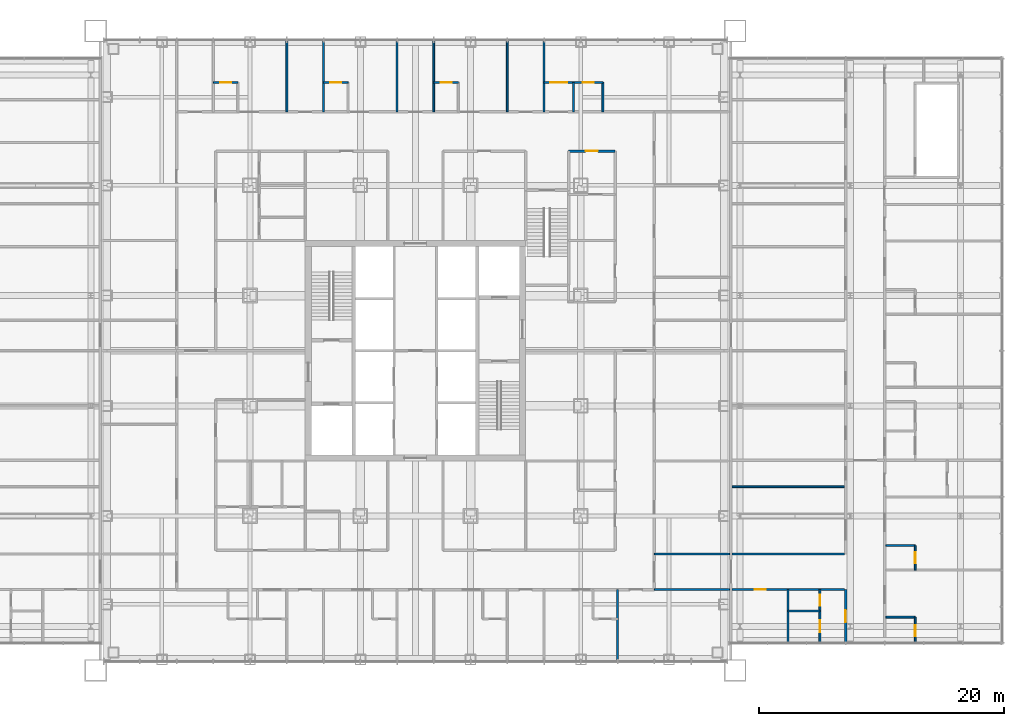
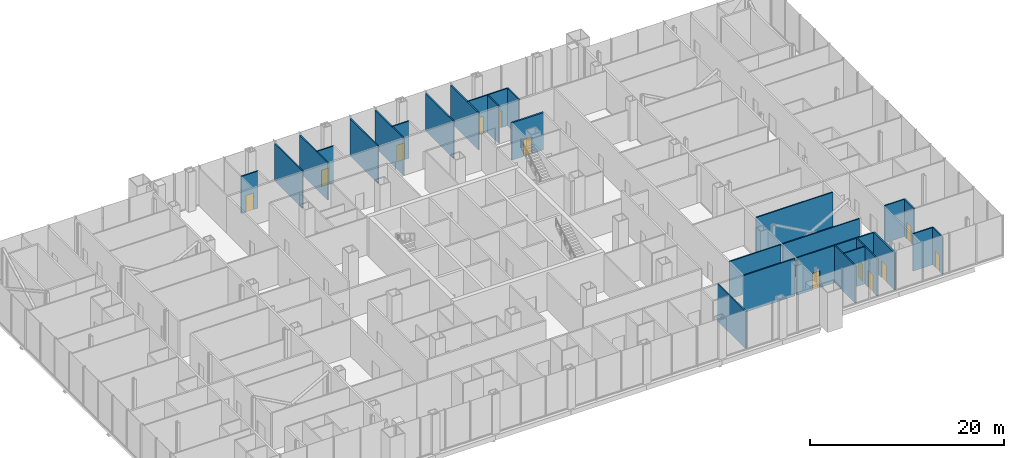
# One storey, part 20 of 28: 28 walls, 12 doors, 12 openings.
"""IFC4 building model written with IfcOpenShell, lengths in metres."""

from ifc_helpers import new_model, si_unit, direction, frame, frame_2d, origin, place, context, subcontext, project, spatial, rectangle, extrude, material, layer, layer_set, type_object, element, fill, save


model = new_model("IFC4")

# Units and contexts
model_context = context("Model", 3, precision=1e-05, world=origin(), true_north=direction((0.0, 1.0)))
body_context = subcontext(model_context, "Body", "Model", "MODEL_VIEW")
ifc_project = project(units=[si_unit("LENGTHUNIT", "METRE"), si_unit("AREAUNIT", "SQUARE_METRE"), si_unit("VOLUMEUNIT", "CUBIC_METRE"), si_unit("PLANEANGLEUNIT", "RADIAN"), si_unit("MASSUNIT", "GRAM", prefix="KILO")], contexts=[model_context])

# Site, building, storey
site_placement = place(None, origin())
site = spatial("IfcSite", under=ifc_project, at=site_placement, CompositionType="ELEMENT")
building_placement = place(site_placement, origin())
building = spatial("IfcBuilding", under=site, at=building_placement, Name="Malebo Sky Hospital", CompositionType="ELEMENT")
storey_placement = place(building_placement, frame((0.0, 0.0, 21.0)))
storey = spatial("IfcBuildingStorey", under=building, at=storey_placement, Name="L04", CompositionType="ELEMENT", Elevation=21.0)

# Wall, opening, door
ifc_material_1 = material(Name="Gypsum board on steel studs", Category="steel")
ifc_layer_1 = layer(ifc_material_1, 0.199951171875)
ifc_layer_set_1 = layer_set([ifc_layer_1], Name="CORRIDOR WALL 200")
wall_type_1 = type_object("IfcWallType", Name="CORRIDOR WALL 200", PredefinedType="PARTITIONING", material=ifc_layer_set_1)
wall_1_placement = place(storey_placement, frame((72.5, 78.300048828125, 0.0), z_axis=(0.0, 0.0, 1.0), x_axis=(1.0, 0.0, 0.0)))
wall_1 = element("IfcWall", 1, at=wall_1_placement, inside=storey, type_object=wall_type_1, Name="Corridor Wall 200 NCI2/2", PredefinedType="PARTITIONING", context=body_context, shape_type="SweptSolid", body=[
    extrude(rectangle(XDim=3.800048828125, YDim=0.199951171875, at=frame_2d((1.89990234375, 0.0))), origin(), (0.0, 0.0, 1.0), 4.699951171875),
])
opening_1_placement = place(wall_1_placement, frame((1.39990234375, 0.0, 0.0)))
opening_1 = element("IfcOpeningElement", 2, at=opening_1_placement, cuts=wall_1, Name="Opening D03", PredefinedType="OPENING", context=body_context, shape_type="SweptSolid", body=[
    extrude(rectangle(XDim=1.0, YDim=2.10009765625, at=frame_2d((0.5, 1.050048828125))), frame((0.0, 0.10986328125, 0.0), z_axis=(0.0, -1.0, 0.0), x_axis=(1.0, 0.0, 0.0)), (0.0, 0.0, 1.0), 0.219970703125),
])
ifc_material_2 = material(Name="Hardwood-faced door leaf in steel frame", Category="steel")
door_type_1 = type_object("IfcDoorType", Name="ROOM DOOR 1000", OperationType="SINGLE_SWING_LEFT", PredefinedType="DOOR", material=ifc_material_2)
door_1_placement = place(opening_1_placement, origin())
door_1 = element("IfcDoor", 3, at=door_1_placement, inside=storey, type_object=door_type_1, Name="Patient WC vestibule door", OperationType="SINGLE_SWING_LEFT", OverallHeight=2.10009765625, OverallWidth=1.0, PredefinedType="DOOR", context=body_context, shape_type="SweptSolid", body=[
    extrude(rectangle(XDim=1.0, YDim=2.10009765625, at=frame_2d((0.5, 1.050048828125))), frame((0.0, 0.02490234375, 0.0), z_axis=(0.0, -1.0, 0.0), x_axis=(1.0, 0.0, 0.0)), (0.0, 0.0, 1.0), 0.050048828125),
])
fill(opening_1, door_1)

wall_2_placement = place(storey_placement, frame((95.117919921875, 38.14990234375, 0.0), z_axis=(0.0, 0.0, 1.0), x_axis=(0.0, 1.0, 0.0)))
wall_2 = element("IfcWall", 4, at=wall_2_placement, inside=storey, type_object=wall_type_1, Name="Corridor Wall 200 EWC2A", PredefinedType="PARTITIONING", context=body_context, shape_type="SweptSolid", body=[
    extrude(rectangle(XDim=4.35009765625, YDim=0.199951171875, at=frame_2d((2.175048828125, 0.0))), origin(), (0.0, 0.0, 1.0), 4.699951171875),
])
opening_2_placement = place(wall_2_placement, frame((1.675048828125, 0.0, 0.0)))
opening_2 = element("IfcOpeningElement", 5, at=opening_2_placement, cuts=wall_2, Name="Opening D03", PredefinedType="OPENING", context=body_context, shape_type="SweptSolid", body=[
    extrude(rectangle(XDim=1.0, YDim=2.10009765625, at=frame_2d((0.5, 1.050048828125))), frame((0.0, 0.10986328125, 0.0), z_axis=(0.0, -1.0, 0.0), x_axis=(1.0, 0.0, 0.0)), (0.0, 0.0, 1.0), 0.219970703125),
])
door_2_placement = place(opening_2_placement, origin())
door_2 = element("IfcDoor", 6, at=door_2_placement, inside=storey, type_object=door_type_1, Name="WC vestibule door", OperationType="SINGLE_SWING_RIGHT", OverallHeight=2.10009765625, OverallWidth=1.0, PredefinedType="DOOR", context=body_context, shape_type="SweptSolid", body=[
    extrude(rectangle(XDim=1.0, YDim=2.10009765625, at=frame_2d((0.5, 1.050048828125))), frame((0.0, 0.02490234375, 0.0), z_axis=(0.0, -1.0, 0.0), x_axis=(1.0, 0.0, 0.0)), (0.0, 0.0, 1.0), 0.050048828125),
])
fill(opening_2, door_2)

# Walls
ifc_layer_2 = layer(ifc_material_1, 0.14990234375)
ifc_layer_set_2 = layer_set([ifc_layer_2], Name="PARTITION 150")
wall_type_2 = type_object("IfcWallType", Name="PARTITION 150", PredefinedType="PARTITIONING", material=ifc_layer_set_2)
for number, where, z_axis, x_axis, name in (
    (7, (49.5, 81.5, 0.0), (0.0, 0.0, 1.0), (0.0, 1.0, 0.0), "Partition 150 NP-10.5"),
    (8, (52.5, 81.5, 0.0), (0.0, 0.0, 1.0), (0.0, 1.0, 0.0), "Partition 150 NP-7.5"),
    (9, (58.5, 81.5, 0.0), (0.0, 0.0, 1.0), (0.0, 1.0, 0.0), "Partition 150 NP-1.5"),
    (10, (61.5, 81.5, 0.0), (0.0, 0.0, 1.0), (0.0, 1.0, 0.0), "Partition 150 NP+1.5"),
    (11, (67.5, 81.5, 0.0), (0.0, 0.0, 1.0), (0.0, 1.0, 0.0), "Partition 150 NP+7.5"),
    (12, (70.5, 81.5, 0.0), (0.0, 0.0, 1.0), (0.0, 1.0, 0.0), "Partition 150 NP+10.5"),
):
    element("IfcWall", number, at=place(storey_placement, frame(where, z_axis=z_axis, x_axis=x_axis)), inside=storey, type_object=wall_type_2, Name=name, PredefinedType="PARTITIONING", context=body_context, shape_type="SweptSolid", body=[
        extrude(rectangle(XDim=5.75, YDim=0.14990234375, at=frame_2d((2.875, 0.0))), origin(), (0.0, 0.0, 1.0), 4.699951171875),
    ])

# Wall, opening, door
wall_3_placement = place(storey_placement, frame((43.5, 83.89990234375, 0.0), z_axis=(0.0, 0.0, 1.0), x_axis=(1.0, 0.0, 0.0)))
wall_3 = element("IfcWall", 13, at=wall_3_placement, inside=storey, type_object=wall_type_2, Name="Partition 150 NE1F", PredefinedType="PARTITIONING", context=body_context, shape_type="SweptSolid", body=[
    extrude(rectangle(XDim=2.0, YDim=0.14990234375, at=frame_2d((1.0, 0.0))), origin(), (0.0, 0.0, 1.0), 4.699951171875),
])
opening_3_placement = place(wall_3_placement, frame((0.550048828125, 0.0, 0.0)))
opening_3 = element("IfcOpeningElement", 14, at=opening_3_placement, cuts=wall_3, Name="Opening D02", PredefinedType="OPENING", context=body_context, shape_type="SweptSolid", body=[
    extrude(rectangle(XDim=0.89990234375, YDim=2.10009765625, at=frame_2d((0.449951171875, 1.050048828125))), frame((0.0, 0.0849609375, 0.0), z_axis=(0.0, -1.0, 0.0), x_axis=(1.0, 0.0, 0.0)), (0.0, 0.0, 1.0), 0.169921875),
])
door_type_2 = type_object("IfcDoorType", Name="EN-SUITE DOOR 900", OperationType="SINGLE_SWING_LEFT", PredefinedType="DOOR", material=ifc_material_2)
door_3_placement = place(opening_3_placement, origin())
door_3 = element("IfcDoor", 15, at=door_3_placement, inside=storey, type_object=door_type_2, Name="En-suite door", OperationType="SINGLE_SWING_LEFT", OverallHeight=2.10009765625, OverallWidth=0.89990234375, PredefinedType="DOOR", context=body_context, shape_type="SweptSolid", body=[
    extrude(rectangle(XDim=0.89990234375, YDim=2.10009765625, at=frame_2d((0.449951171875, 1.050048828125))), frame((0.0, 0.02490234375, 0.0), z_axis=(0.0, -1.0, 0.0), x_axis=(1.0, 0.0, 0.0)), (0.0, 0.0, 1.0), 0.050048828125),
])
fill(opening_3, door_3)

wall_4_placement = place(storey_placement, frame((52.5, 83.89990234375, 0.0), z_axis=(0.0, 0.0, 1.0), x_axis=(1.0, 0.0, 0.0)))
wall_4 = element("IfcWall", 16, at=wall_4_placement, inside=storey, type_object=wall_type_2, Name="Partition 150 NE3F", PredefinedType="PARTITIONING", context=body_context, shape_type="SweptSolid", body=[
    extrude(rectangle(XDim=2.0, YDim=0.14990234375, at=frame_2d((1.0, 0.0))), origin(), (0.0, 0.0, 1.0), 4.699951171875),
])
opening_4_placement = place(wall_4_placement, frame((0.550048828125, 0.0, 0.0)))
opening_4 = element("IfcOpeningElement", 17, at=opening_4_placement, cuts=wall_4, Name="Opening D02", PredefinedType="OPENING", context=body_context, shape_type="SweptSolid", body=[
    extrude(rectangle(XDim=0.89990234375, YDim=2.10009765625, at=frame_2d((0.449951171875, 1.050048828125))), frame((0.0, 0.0849609375, 0.0), z_axis=(0.0, -1.0, 0.0), x_axis=(1.0, 0.0, 0.0)), (0.0, 0.0, 1.0), 0.169921875),
])
door_4_placement = place(opening_4_placement, origin())
door_4 = element("IfcDoor", 18, at=door_4_placement, inside=storey, type_object=door_type_2, Name="En-suite door", OperationType="SINGLE_SWING_LEFT", OverallHeight=2.10009765625, OverallWidth=0.89990234375, PredefinedType="DOOR", context=body_context, shape_type="SweptSolid", body=[
    extrude(rectangle(XDim=0.89990234375, YDim=2.10009765625, at=frame_2d((0.449951171875, 1.050048828125))), frame((0.0, 0.02490234375, 0.0), z_axis=(0.0, -1.0, 0.0), x_axis=(1.0, 0.0, 0.0)), (0.0, 0.0, 1.0), 0.050048828125),
])
fill(opening_4, door_4)

wall_5_placement = place(storey_placement, frame((61.5, 83.89990234375, 0.0), z_axis=(0.0, 0.0, 1.0), x_axis=(1.0, 0.0, 0.0)))
wall_5 = element("IfcWall", 19, at=wall_5_placement, inside=storey, type_object=wall_type_2, Name="Partition 150 NE5F", PredefinedType="PARTITIONING", context=body_context, shape_type="SweptSolid", body=[
    extrude(rectangle(XDim=2.0, YDim=0.14990234375, at=frame_2d((1.0, 0.0))), origin(), (0.0, 0.0, 1.0), 4.699951171875),
])
opening_5_placement = place(wall_5_placement, frame((0.550048828125, 0.0, 0.0)))
opening_5 = element("IfcOpeningElement", 20, at=opening_5_placement, cuts=wall_5, Name="Opening D02", PredefinedType="OPENING", context=body_context, shape_type="SweptSolid", body=[
    extrude(rectangle(XDim=0.89990234375, YDim=2.10009765625, at=frame_2d((0.449951171875, 1.050048828125))), frame((0.0, 0.0849609375, 0.0), z_axis=(0.0, -1.0, 0.0), x_axis=(1.0, 0.0, 0.0)), (0.0, 0.0, 1.0), 0.169921875),
])
door_5_placement = place(opening_5_placement, origin())
door_5 = element("IfcDoor", 21, at=door_5_placement, inside=storey, type_object=door_type_2, Name="En-suite door", OperationType="SINGLE_SWING_LEFT", OverallHeight=2.10009765625, OverallWidth=0.89990234375, PredefinedType="DOOR", context=body_context, shape_type="SweptSolid", body=[
    extrude(rectangle(XDim=0.89990234375, YDim=2.10009765625, at=frame_2d((0.449951171875, 1.050048828125))), frame((0.0, 0.02490234375, 0.0), z_axis=(0.0, -1.0, 0.0), x_axis=(1.0, 0.0, 0.0)), (0.0, 0.0, 1.0), 0.050048828125),
])
fill(opening_5, door_5)

wall_6_placement = place(storey_placement, frame((72.89990234375, 83.89990234375, 0.0), z_axis=(0.0, 0.0, 1.0), x_axis=(1.0, 0.0, 0.0)))
wall_6 = element("IfcWall", 22, at=wall_6_placement, inside=storey, type_object=wall_type_2, Name="Partition 150 NE7F", PredefinedType="PARTITIONING", context=body_context, shape_type="SweptSolid", body=[
    extrude(rectangle(XDim=2.400146484375, YDim=0.14990234375, at=frame_2d((1.2001953125, 0.0))), origin(), (0.0, 0.0, 1.0), 4.699951171875),
])
opening_6_placement = place(wall_6_placement, frame((0.75, 0.0, 0.0)))
opening_6 = element("IfcOpeningElement", 23, at=opening_6_placement, cuts=wall_6, Name="Opening D02", PredefinedType="OPENING", context=body_context, shape_type="SweptSolid", body=[
    extrude(rectangle(XDim=0.89990234375, YDim=2.10009765625, at=frame_2d((0.449951171875, 1.050048828125))), frame((0.0, 0.0849609375, 0.0), z_axis=(0.0, -1.0, 0.0), x_axis=(1.0, 0.0, 0.0)), (0.0, 0.0, 1.0), 0.169921875),
])
door_6_placement = place(opening_6_placement, origin())
door_6 = element("IfcDoor", 24, at=door_6_placement, inside=storey, type_object=door_type_2, Name="En-suite door", OperationType="SINGLE_SWING_LEFT", OverallHeight=2.10009765625, OverallWidth=0.89990234375, PredefinedType="DOOR", context=body_context, shape_type="SweptSolid", body=[
    extrude(rectangle(XDim=0.89990234375, YDim=2.10009765625, at=frame_2d((0.449951171875, 1.050048828125))), frame((0.0, 0.02490234375, 0.0), z_axis=(0.0, -1.0, 0.0), x_axis=(1.0, 0.0, 0.0)), (0.0, 0.0, 1.0), 0.050048828125),
])
fill(opening_6, door_6)

# Walls
wall_7_placement = place(storey_placement, frame((75.300048828125, 81.5, 0.0), z_axis=(0.0, 0.0, 1.0), x_axis=(0.0, 1.0, 0.0)))
element("IfcWall", 25, at=wall_7_placement, inside=storey, type_object=wall_type_2, Name="Partition 150 NE7S", PredefinedType="PARTITIONING", context=body_context, shape_type="SweptSolid", body=[
    extrude(rectangle(XDim=2.39990234375, YDim=0.14990234375, at=frame_2d((1.199951171875, 0.0))), origin(), (0.0, 0.0, 1.0), 4.699951171875),
])
wall_8_placement = place(storey_placement, frame((76.5, 42.5, 0.0), z_axis=(0.0, 0.0, 1.0), x_axis=(0.0, -1.0, 0.0)))
element("IfcWall", 26, at=wall_8_placement, inside=storey, type_object=wall_type_2, Name="Partition 150 SP-16.5", PredefinedType="PARTITIONING", context=body_context, shape_type="SweptSolid", body=[
    extrude(rectangle(XDim=5.75, YDim=0.14990234375, at=frame_2d((2.875, 0.0))), origin(), (0.0, 0.0, 1.0), 4.699951171875),
])
for number, where, z_axis, x_axis, name in (
    (27, (79.5, 45.39990234375, 0.0), (0.0, 0.0, 1.0), (1.0, 0.0, 0.0), "Partition 150 EP+16.6"),
    (28, (79.5, 42.5, 0.0), (0.0, 0.0, 1.0), (1.0, 0.0, 0.0), "Partition 150 EP+19.5"),
):
    element("IfcWall", number, at=place(storey_placement, frame(where, z_axis=z_axis, x_axis=x_axis)), inside=storey, type_object=wall_type_2, Name=name, PredefinedType="PARTITIONING", context=body_context, shape_type="SweptSolid", body=[
        extrude(rectangle(XDim=6.14990234375, YDim=0.14990234375, at=frame_2d((3.074951171875, 0.0))), origin(), (0.0, 0.0, 1.0), 4.699951171875),
    ])

# Wall, opening, door
wall_9_placement = place(storey_placement, frame((100.806884765625, 38.14990234375, 0.0), z_axis=(0.0, 0.0, 1.0), x_axis=(0.0, 1.0, 0.0)))
wall_9 = element("IfcWall", 29, at=wall_9_placement, inside=storey, type_object=wall_type_2, Name="Partition 150 EOX00F", PredefinedType="PARTITIONING", context=body_context, shape_type="SweptSolid", body=[
    extrude(rectangle(XDim=2.10009765625, YDim=0.14990234375, at=frame_2d((1.050048828125, 0.0))), origin(), (0.0, 0.0, 1.0), 4.699951171875),
])
opening_7_placement = place(wall_9_placement, frame((0.550048828125, 0.0, 0.0)))
opening_7 = element("IfcOpeningElement", 30, at=opening_7_placement, cuts=wall_9, Name="Opening D02", PredefinedType="OPENING", context=body_context, shape_type="SweptSolid", body=[
    extrude(rectangle(XDim=0.89990234375, YDim=2.10009765625, at=frame_2d((0.449951171875, 1.050048828125))), frame((0.0, 0.0849609375, 0.0), z_axis=(0.0, -1.0, 0.0), x_axis=(1.0, 0.0, 0.0)), (0.0, 0.0, 1.0), 0.169921875),
])
door_7_placement = place(opening_7_placement, origin())
door_7 = element("IfcDoor", 31, at=door_7_placement, inside=storey, type_object=door_type_2, Name="En-suite door", OperationType="SINGLE_SWING_LEFT", OverallHeight=2.10009765625, OverallWidth=0.89990234375, PredefinedType="DOOR", context=body_context, shape_type="SweptSolid", body=[
    extrude(rectangle(XDim=0.89990234375, YDim=2.10009765625, at=frame_2d((0.449951171875, 1.050048828125))), frame((0.0, 0.02490234375, 0.0), z_axis=(0.0, -1.0, 0.0), x_axis=(1.0, 0.0, 0.0)), (0.0, 0.0, 1.0), 0.050048828125),
])
fill(opening_7, door_7)

# Wall
wall_10_placement = place(storey_placement, frame((98.406982421875, 40.25, 0.0), z_axis=(0.0, 0.0, 1.0), x_axis=(1.0, 0.0, 0.0)))
element("IfcWall", 32, at=wall_10_placement, inside=storey, type_object=wall_type_2, Name="Partition 150 EOX00S", PredefinedType="PARTITIONING", context=body_context, shape_type="SweptSolid", body=[
    extrude(rectangle(XDim=2.39990234375, YDim=0.14990234375, at=frame_2d((1.199951171875, 0.0))), origin(), (0.0, 0.0, 1.0), 4.699951171875),
])

# Wall, opening, door
wall_11_placement = place(storey_placement, frame((100.806884765625, 44.09375, 0.0), z_axis=(0.0, 0.0, 1.0), x_axis=(0.0, 1.0, 0.0)))
wall_11 = element("IfcWall", 33, at=wall_11_placement, inside=storey, type_object=wall_type_2, Name="Partition 150 EOX01F", PredefinedType="PARTITIONING", context=body_context, shape_type="SweptSolid", body=[
    extrude(rectangle(XDim=2.0, YDim=0.14990234375, at=frame_2d((1.0, 0.0))), origin(), (0.0, 0.0, 1.0), 4.699951171875),
])
opening_8_placement = place(wall_11_placement, frame((0.550048828125, 0.0, 0.0)))
opening_8 = element("IfcOpeningElement", 34, at=opening_8_placement, cuts=wall_11, Name="Opening D02", PredefinedType="OPENING", context=body_context, shape_type="SweptSolid", body=[
    extrude(rectangle(XDim=0.89990234375, YDim=2.10009765625, at=frame_2d((0.449951171875, 1.050048828125))), frame((0.0, 0.0849609375, 0.0), z_axis=(0.0, -1.0, 0.0), x_axis=(1.0, 0.0, 0.0)), (0.0, 0.0, 1.0), 0.169921875),
])
door_8_placement = place(opening_8_placement, origin())
door_8 = element("IfcDoor", 35, at=door_8_placement, inside=storey, type_object=door_type_2, Name="En-suite door", OperationType="SINGLE_SWING_LEFT", OverallHeight=2.10009765625, OverallWidth=0.89990234375, PredefinedType="DOOR", context=body_context, shape_type="SweptSolid", body=[
    extrude(rectangle(XDim=0.89990234375, YDim=2.10009765625, at=frame_2d((0.449951171875, 1.050048828125))), frame((0.0, 0.02490234375, 0.0), z_axis=(0.0, -1.0, 0.0), x_axis=(1.0, 0.0, 0.0)), (0.0, 0.0, 1.0), 0.050048828125),
])
fill(opening_8, door_8)

# Walls
wall_12_placement = place(storey_placement, frame((98.406982421875, 46.09375, 0.0), z_axis=(0.0, 0.0, 1.0), x_axis=(1.0, 0.0, 0.0)))
element("IfcWall", 36, at=wall_12_placement, inside=storey, type_object=wall_type_2, Name="Partition 150 EOX01S", PredefinedType="PARTITIONING", context=body_context, shape_type="SweptSolid", body=[
    extrude(rectangle(XDim=2.39990234375, YDim=0.14990234375, at=frame_2d((1.199951171875, 0.0))), origin(), (0.0, 0.0, 1.0), 4.699951171875),
])
wall_13_placement = place(storey_placement, frame((93.01806640625, 40.75, 0.0), z_axis=(0.0, 0.0, 1.0), x_axis=(-1.0, 0.0, 0.0)))
element("IfcWall", 37, at=wall_13_placement, inside=storey, type_object=wall_type_2, Name="Partition 150 EIH00", PredefinedType="PARTITIONING", context=body_context, shape_type="SweptSolid", body=[
    extrude(rectangle(XDim=2.60009765625, YDim=0.14990234375, at=frame_2d((1.300048828125, 0.0))), origin(), (0.0, 0.0, 1.0), 4.699951171875),
])

# Wall, opening, door
wall_14_placement = place(storey_placement, frame((95.01806640625, 42.5, 0.0), z_axis=(0.0, 0.0, 1.0), x_axis=(-1.0, 0.0, 0.0)))
wall_14 = element("IfcWall", 38, at=wall_14_placement, inside=storey, type_object=wall_type_2, Name="Partition 150 EIH01", PredefinedType="PARTITIONING", context=body_context, shape_type="SweptSolid", body=[
    extrude(rectangle(XDim=9.16796875, YDim=0.14990234375, at=frame_2d((4.583984375, 0.0))), origin(), (0.0, 0.0, 1.0), 4.699951171875),
])
opening_9_placement = place(wall_14_placement, frame((6.43408203125, 0.0, 0.0)))
opening_9 = element("IfcOpeningElement", 39, at=opening_9_placement, cuts=wall_14, Name="Opening D04", PredefinedType="OPENING", context=body_context, shape_type="SweptSolid", body=[
    extrude(rectangle(XDim=0.89990234375, YDim=2.10009765625, at=frame_2d((0.449951171875, 1.050048828125))), frame((0.0, 0.0849609375, 0.0), z_axis=(0.0, -1.0, 0.0), x_axis=(1.0, 0.0, 0.0)), (0.0, 0.0, 1.0), 0.169921875),
])
door_type_3 = type_object("IfcDoorType", Name="ROOM DOOR 900", OperationType="SINGLE_SWING_LEFT", PredefinedType="DOOR", material=ifc_material_2)
door_9_placement = place(opening_9_placement, origin())
door_9 = element("IfcDoor", 40, at=door_9_placement, inside=storey, type_object=door_type_3, Name="Cleaner's room inner door", OperationType="SINGLE_SWING_LEFT", OverallHeight=2.10009765625, OverallWidth=0.89990234375, PredefinedType="DOOR", context=body_context, shape_type="SweptSolid", body=[
    extrude(rectangle(XDim=0.89990234375, YDim=2.10009765625, at=frame_2d((0.449951171875, 1.050048828125))), frame((0.0, 0.02490234375, 0.0), z_axis=(0.0, -1.0, 0.0), x_axis=(1.0, 0.0, 0.0)), (0.0, 0.0, 1.0), 0.050048828125),
])
fill(opening_9, door_9)

# Walls
for number, where, z_axis, x_axis, name in (
    (41, (95.01806640625, 45.39990234375, 0.0), (0.0, 0.0, 1.0), (-1.0, 0.0, 0.0), "Partition 150 EIH02"),
    (42, (95.01806640625, 50.89990234375, 0.0), (0.0, 0.0, 1.0), (-1.0, 0.0, 0.0), "Partition 150 EIH03"),
):
    element("IfcWall", number, at=place(storey_placement, frame(where, z_axis=z_axis, x_axis=x_axis)), inside=storey, type_object=wall_type_2, Name=name, PredefinedType="PARTITIONING", context=body_context, shape_type="SweptSolid", body=[
        extrude(rectangle(XDim=9.16796875, YDim=0.14990234375, at=frame_2d((4.583984375, 0.0))), origin(), (0.0, 0.0, 1.0), 4.699951171875),
    ])

# Wall, openings, doors
wall_15_placement = place(storey_placement, frame((93.01806640625, 38.14990234375, 0.0), z_axis=(0.0, 0.0, 1.0), x_axis=(0.0, 1.0, 0.0)))
wall_15 = element("IfcWall", 43, at=wall_15_placement, inside=storey, type_object=wall_type_2, Name="Partition 150 EIV12", PredefinedType="PARTITIONING", context=body_context, shape_type="SweptSolid", body=[
    extrude(rectangle(XDim=4.35009765625, YDim=0.14990234375, at=frame_2d((2.175048828125, 0.0))), origin(), (0.0, 0.0, 1.0), 4.699951171875),
])
opening_10_placement = place(wall_15_placement, frame((0.85009765625, 0.0, 0.0)))
opening_10 = element("IfcOpeningElement", 44, at=opening_10_placement, cuts=wall_15, Name="Opening D03", PredefinedType="OPENING", context=body_context, shape_type="SweptSolid", body=[
    extrude(rectangle(XDim=1.0, YDim=2.10009765625, at=frame_2d((0.5, 1.050048828125))), frame((0.0, 0.0849609375, 0.0), z_axis=(0.0, -1.0, 0.0), x_axis=(1.0, 0.0, 0.0)), (0.0, 0.0, 1.0), 0.169921875),
])
opening_11_placement = place(wall_15_placement, frame((3.02490234375, 0.0, 0.0)))
opening_11 = element("IfcOpeningElement", 45, at=opening_11_placement, cuts=wall_15, Name="Opening D04", PredefinedType="OPENING", context=body_context, shape_type="SweptSolid", body=[
    extrude(rectangle(XDim=0.89990234375, YDim=2.10009765625, at=frame_2d((0.449951171875, 1.050048828125))), frame((0.0, 0.0849609375, 0.0), z_axis=(0.0, -1.0, 0.0), x_axis=(1.0, 0.0, 0.0)), (0.0, 0.0, 1.0), 0.169921875),
])
door_10_placement = place(opening_10_placement, origin())
door_10 = element("IfcDoor", 46, at=door_10_placement, inside=storey, type_object=door_type_1, Name="Accessible WC inner door", OperationType="SINGLE_SWING_RIGHT", OverallHeight=2.10009765625, OverallWidth=1.0, PredefinedType="DOOR", context=body_context, shape_type="SweptSolid", body=[
    extrude(rectangle(XDim=1.0, YDim=2.10009765625, at=frame_2d((0.5, 1.050048828125))), frame((0.0, 0.02490234375, 0.0), z_axis=(0.0, -1.0, 0.0), x_axis=(1.0, 0.0, 0.0)), (0.0, 0.0, 1.0), 0.050048828125),
])
fill(opening_10, door_10)
door_11_placement = place(opening_11_placement, origin())
door_11 = element("IfcDoor", 47, at=door_11_placement, inside=storey, type_object=door_type_3, Name="Staff WC inner door", OperationType="SINGLE_SWING_LEFT", OverallHeight=2.10009765625, OverallWidth=0.89990234375, PredefinedType="DOOR", context=body_context, shape_type="SweptSolid", body=[
    extrude(rectangle(XDim=0.89990234375, YDim=2.10009765625, at=frame_2d((0.449951171875, 1.050048828125))), frame((0.0, 0.02490234375, 0.0), z_axis=(0.0, -1.0, 0.0), x_axis=(1.0, 0.0, 0.0)), (0.0, 0.0, 1.0), 0.050048828125),
])
fill(opening_11, door_11)

# Wall
wall_16_placement = place(storey_placement, frame((90.41796875, 38.14990234375, 0.0), z_axis=(0.0, 0.0, 1.0), x_axis=(0.0, 1.0, 0.0)))
element("IfcWall", 48, at=wall_16_placement, inside=storey, type_object=wall_type_2, Name="Partition 150 EIV13", PredefinedType="PARTITIONING", context=body_context, shape_type="SweptSolid", body=[
    extrude(rectangle(XDim=4.35009765625, YDim=0.14990234375, at=frame_2d((2.175048828125, 0.0))), origin(), (0.0, 0.0, 1.0), 4.699951171875),
])

# Wall, opening, door
ifc_material_3 = material(Name="Sealed gypsum board on steel studs, taped to the slab", Category="steel")
ifc_layer_3 = layer(ifc_material_3, 0.14990234375)
ifc_layer_set_3 = layer_set([ifc_layer_3], Name="SEALED ISOLATION PARTITION 150")
wall_type_3 = type_object("IfcWallType", Name="SEALED ISOLATION PARTITION 150", PredefinedType="PARTITIONING", material=ifc_layer_set_3)
wall_17_placement = place(storey_placement, frame((70.5, 83.89990234375, 0.0), z_axis=(0.0, 0.0, 1.0), x_axis=(1.0, 0.0, 0.0)))
wall_17 = element("IfcWall", 49, at=wall_17_placement, inside=storey, type_object=wall_type_3, Name="Sealed Isolation Partition 150 NN7F", PredefinedType="PARTITIONING", context=body_context, shape_type="SweptSolid", body=[
    extrude(rectangle(XDim=2.39990234375, YDim=0.14990234375, at=frame_2d((1.199951171875, 0.0))), origin(), (0.0, 0.0, 1.0), 4.699951171875),
])
opening_12_placement = place(wall_17_placement, frame((0.5, 0.0, 0.0)))
opening_12 = element("IfcOpeningElement", 50, at=opening_12_placement, cuts=wall_17, Name="Opening D29", PredefinedType="OPENING", context=body_context, shape_type="SweptSolid", body=[
    extrude(rectangle(XDim=1.39990234375, YDim=2.199951171875, at=frame_2d((0.699951171875, 1.10009765625))), frame((0.0, 0.0849609375, 0.0), z_axis=(0.0, -1.0, 0.0), x_axis=(1.0, 0.0, 0.0)), (0.0, 0.0, 1.0), 0.169921875),
])
ifc_material_4 = material(Name="Hardwood-faced door leaf with perimeter seals in steel frame", Category="steel")
door_type_4 = type_object("IfcDoorType", Name="SEALED ISOLATION BED DOOR PAIR 1400", OperationType="DOUBLE_DOOR_SINGLE_SWING", PredefinedType="DOOR", material=ifc_material_4)
door_12_placement = place(opening_12_placement, origin())
door_12 = element("IfcDoor", 51, at=door_12_placement, inside=storey, type_object=door_type_4, Name="Isolation room door", OperationType="DOUBLE_DOOR_SINGLE_SWING", OverallHeight=2.199951171875, OverallWidth=1.39990234375, PredefinedType="DOOR", context=body_context, shape_type="SweptSolid", body=[
    extrude(rectangle(XDim=1.39990234375, YDim=2.199951171875, at=frame_2d((0.699951171875, 1.10009765625))), frame((0.0, 0.02490234375, 0.0), z_axis=(0.0, -1.0, 0.0), x_axis=(1.0, 0.0, 0.0)), (0.0, 0.0, 1.0), 0.050048828125),
])
fill(opening_12, door_12)

# Wall
wall_18_placement = place(storey_placement, frame((72.89990234375, 81.5, 0.0), z_axis=(0.0, 0.0, 1.0), x_axis=(0.0, 1.0, 0.0)))
element("IfcWall", 52, at=wall_18_placement, inside=storey, type_object=wall_type_3, Name="Sealed Isolation Partition 150 NN7S", PredefinedType="PARTITIONING", context=body_context, shape_type="SweptSolid", body=[
    extrude(rectangle(XDim=2.39990234375, YDim=0.14990234375, at=frame_2d((1.199951171875, 0.0))), origin(), (0.0, 0.0, 1.0), 4.699951171875),
])

save(model, "model.ifc")
